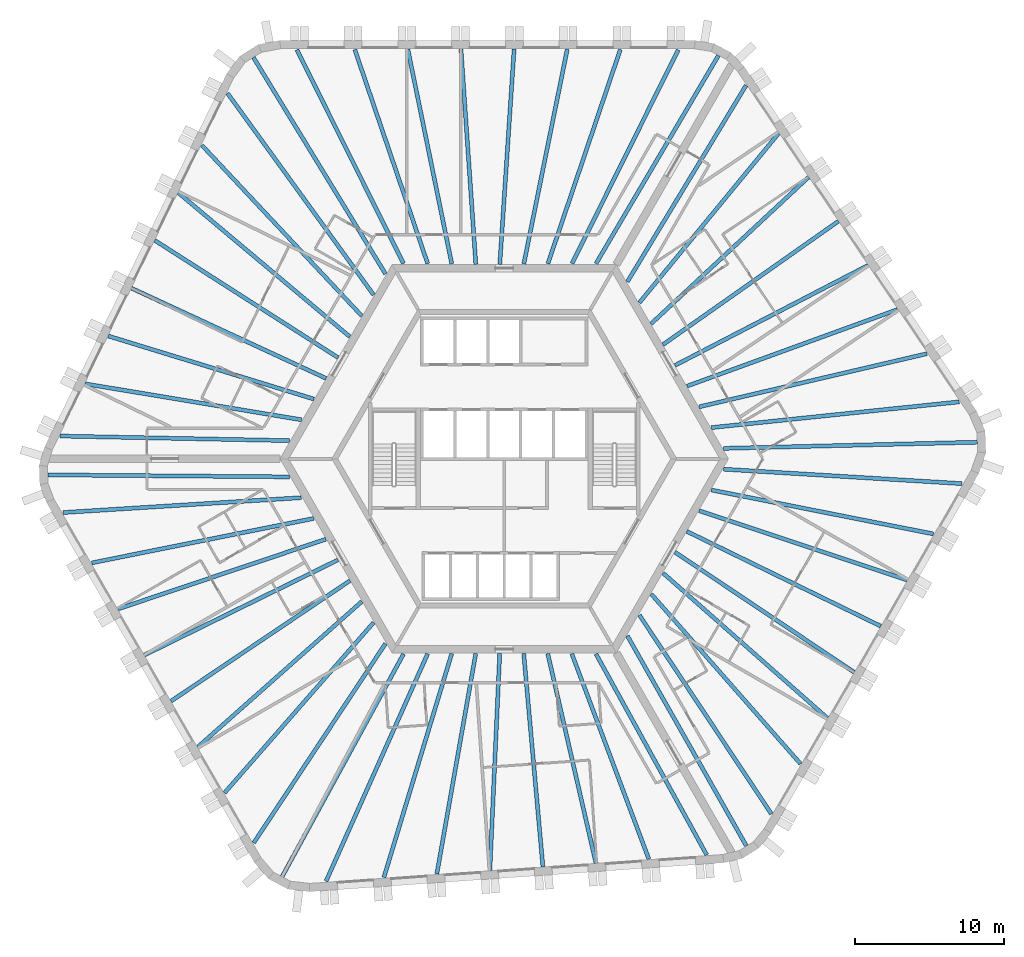
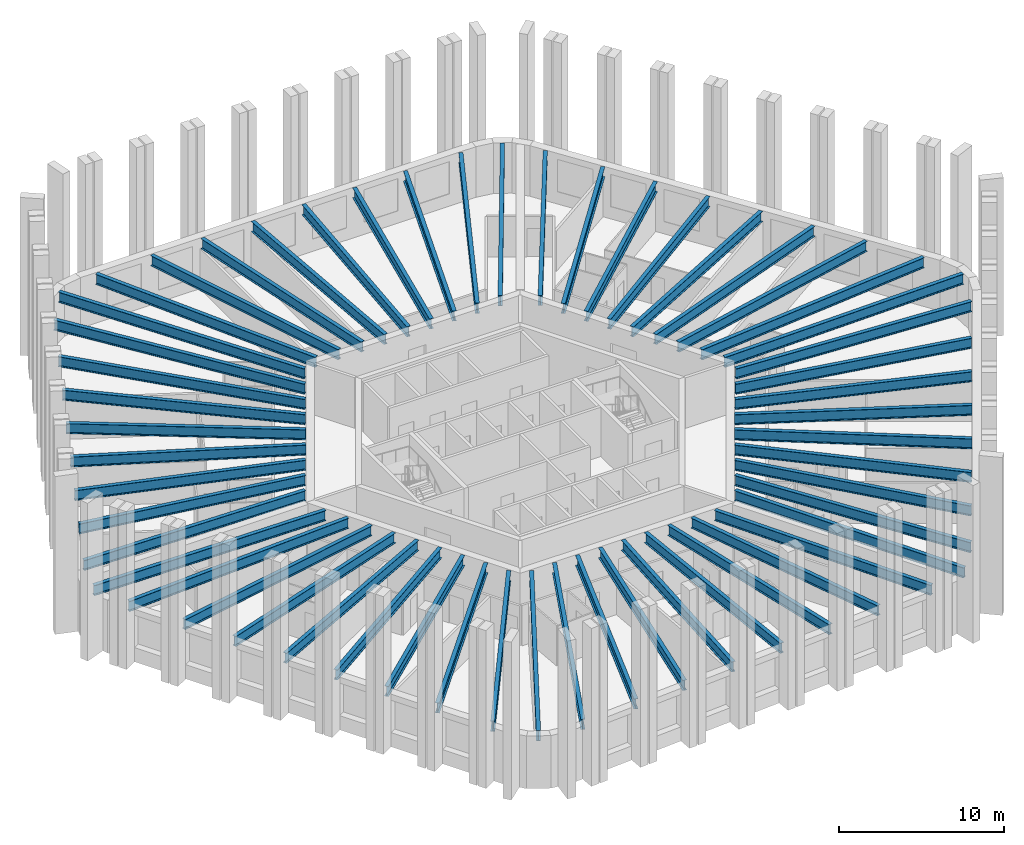
# One storey, part 1 of 10: 54 beams.
"""IFC4 building model written with IfcOpenShell, lengths in metres."""

from ifc_helpers import new_model, si_unit, direction, frame, origin, origin_2d, place, context, subcontext, project, spatial, i_section, extrude, material, material_profile, profile_set, type_object, element, save


model = new_model("IFC4")

# Units and contexts
model_context = context("Model", 3, precision=1e-05, world=origin(), true_north=direction((0.0, 1.0)))
body_context = subcontext(model_context, "Body", "Model", "MODEL_VIEW")
ifc_project = project(units=[si_unit("LENGTHUNIT", "METRE"), si_unit("AREAUNIT", "SQUARE_METRE"), si_unit("VOLUMEUNIT", "CUBIC_METRE"), si_unit("PLANEANGLEUNIT", "RADIAN"), si_unit("MASSUNIT", "GRAM", prefix="KILO")], contexts=[model_context])

# Site, building, storey
site_placement = place(None, origin())
site = spatial("IfcSite", under=ifc_project, at=site_placement, CompositionType="ELEMENT")
building_placement = place(site_placement, origin())
building = spatial("IfcBuilding", under=site, at=building_placement, Name="Tarnside Tower", CompositionType="ELEMENT")
storey_placement = place(building_placement, frame((0.0, 0.0, 164.39990234375)))
storey = spatial("IfcBuildingStorey", under=building, at=storey_placement, Name="L38", CompositionType="ELEMENT", Elevation=164.39990234375)

# Beams
ifc_material = material(Name="Steel S355", Category="steel")
ifc_material_profile_1 = material_profile(ifc_material, i_section(OverallWidth=0.26513671875, OverallDepth=0.75390625, WebThickness=0.0126953125, FlangeThickness=0.017578125, FilletRadius=0.0166015625, at=origin_2d()), Name="UB 762x267x147")
ifc_profile_set_1 = profile_set([ifc_material_profile_1], Name="Steel S355")
beam_type_1 = type_object("IfcBeamType", Name="Floor beam UB 762x267x147", PredefinedType="BEAM", material=ifc_profile_set_1)
beam_1_placement = place(storey_placement, frame((7.77001953125, 27.393310546875, 3.373046875), z_axis=(-0.320362579778, -0.947295000239, 0.0), x_axis=(0.947295000239, -0.320362579778, 0.0)))
element("IfcBeam", 1, at=beam_1_placement, inside=storey, type_object=beam_type_1, Name="Floor beam F1.02", PredefinedType="BEAM", context=body_context, shape_type="SweptSolid", body=[
    extrude(i_section(OverallWidth=0.26513671875, OverallDepth=0.75390625, WebThickness=0.0126953125, FlangeThickness=0.017578125, FilletRadius=0.0166015625, at=origin_2d()), origin(), (0.0, 0.0, 1.0), 15.134033203125),
])
beam_2_placement = place(storey_placement, frame((4.218505859375, 27.410888671875, 3.373046875), z_axis=(-0.19841777413, -0.980117537293, 0.0), x_axis=(0.980117537293, -0.19841777413, 0.0)))
element("IfcBeam", 2, at=beam_2_placement, inside=storey, type_object=beam_type_1, Name="Floor beam F1.03", PredefinedType="BEAM", context=body_context, shape_type="SweptSolid", body=[
    extrude(i_section(OverallWidth=0.26513671875, OverallDepth=0.75390625, WebThickness=0.0126953125, FlangeThickness=0.017578125, FilletRadius=0.0166015625, at=origin_2d()), origin(), (0.0, 0.0, 1.0), 14.6630859375),
])
beam_3_placement = place(storey_placement, frame((0.66259765625, 27.429931640625, 3.373046875), z_axis=(-0.066554914868, -0.997782763585, 0.0), x_axis=(0.997782763585, -0.066554914868, 0.0)))
element("IfcBeam", 3, at=beam_3_placement, inside=storey, type_object=beam_type_1, Name="Floor beam F1.04", PredefinedType="BEAM", context=body_context, shape_type="SweptSolid", body=[
    extrude(i_section(OverallWidth=0.26513671875, OverallDepth=0.75390625, WebThickness=0.0126953125, FlangeThickness=0.017578125, FilletRadius=0.0166015625, at=origin_2d()), origin(), (0.0, 0.0, 1.0), 14.44189453125),
])
beam_4_placement = place(storey_placement, frame((-2.8974609375, 27.429931640625, 3.373046875), z_axis=(0.068876921658, -0.997625164911, 0.0), x_axis=(0.997625164911, 0.068876921658, 0.0)))
element("IfcBeam", 4, at=beam_4_placement, inside=storey, type_object=beam_type_1, Name="Floor beam F1.05", PredefinedType="BEAM", context=body_context, shape_type="SweptSolid", body=[
    extrude(i_section(OverallWidth=0.26513671875, OverallDepth=0.75390625, WebThickness=0.0126953125, FlangeThickness=0.017578125, FilletRadius=0.0166015625, at=origin_2d()), origin(), (0.0, 0.0, 1.0), 14.4443359375),
])
beam_5_placement = place(storey_placement, frame((-6.45361328125, 27.410888671875, 3.373046875), z_axis=(0.200623497398, -0.979668419564, 0.0), x_axis=(0.979668419564, 0.200623497398, 0.0)))
element("IfcBeam", 5, at=beam_5_placement, inside=storey, type_object=beam_type_1, Name="Floor beam F1.06", PredefinedType="BEAM", context=body_context, shape_type="SweptSolid", body=[
    extrude(i_section(OverallWidth=0.26513671875, OverallDepth=0.75390625, WebThickness=0.0126953125, FlangeThickness=0.017578125, FilletRadius=0.0166015625, at=origin_2d()), origin(), (0.0, 0.0, 1.0), 14.669921875),
])
beam_6_placement = place(storey_placement, frame((-10.0048828125, 27.393310546875, 3.373046875), z_axis=(0.322343712034, -0.946622697442, 0.0), x_axis=(0.946622697442, 0.322343712034, 0.0)))
element("IfcBeam", 6, at=beam_6_placement, inside=storey, type_object=beam_type_1, Name="Floor beam F1.07", PredefinedType="BEAM", context=body_context, shape_type="SweptSolid", body=[
    extrude(i_section(OverallWidth=0.26513671875, OverallDepth=0.75390625, WebThickness=0.0126953125, FlangeThickness=0.017578125, FilletRadius=0.0166015625, at=origin_2d()), origin(), (0.0, 0.0, 1.0), 15.144775390625),
])
beam_7_placement = place(storey_placement, frame((-20.241455078125, 20.9892578125, 3.373046875), z_axis=(0.683752330283, -0.729714156936, 0.0), x_axis=(0.729714156936, 0.683752330283, 0.0)))
element("IfcBeam", 7, at=beam_7_placement, inside=storey, type_object=beam_type_1, Name="Floor beam F2.02", PredefinedType="BEAM", context=body_context, shape_type="SweptSolid", body=[
    extrude(i_section(OverallWidth=0.26513671875, OverallDepth=0.75390625, WebThickness=0.0126953125, FlangeThickness=0.017578125, FilletRadius=0.0166015625, at=origin_2d()), origin(), (0.0, 0.0, 1.0), 15.6591796875),
])
beam_8_placement = place(storey_placement, frame((-21.81396484375, 17.80419921875, 3.373046875), z_axis=(0.765948461073, -0.642901979294, 0.0), x_axis=(0.642901979294, 0.765948461073, 0.0)))
element("IfcBeam", 8, at=beam_8_placement, inside=storey, type_object=beam_type_1, Name="Floor beam F2.03", PredefinedType="BEAM", context=body_context, shape_type="SweptSolid", body=[
    extrude(i_section(OverallWidth=0.26513671875, OverallDepth=0.75390625, WebThickness=0.0126953125, FlangeThickness=0.017578125, FilletRadius=0.0166015625, at=origin_2d()), origin(), (0.0, 0.0, 1.0), 14.982177734375),
])
beam_9_placement = place(storey_placement, frame((-23.389892578125, 14.616455078125, 3.373046875), z_axis=(0.842378275633, -0.538886667808, 0.0), x_axis=(0.538886667808, 0.842378275633, 0.0)))
element("IfcBeam", 9, at=beam_9_placement, inside=storey, type_object=beam_type_1, Name="Floor beam F2.04", PredefinedType="BEAM", context=body_context, shape_type="SweptSolid", body=[
    extrude(i_section(OverallWidth=0.26513671875, OverallDepth=0.75390625, WebThickness=0.0126953125, FlangeThickness=0.017578125, FilletRadius=0.0166015625, at=origin_2d()), origin(), (0.0, 0.0, 1.0), 14.5595703125),
])
beam_10_placement = place(storey_placement, frame((-24.9501953125, 11.416748046875, 3.373046875), z_axis=(0.907310131748, -0.420462037321, 0.0), x_axis=(0.420462037321, 0.907310131748, 0.0)))
element("IfcBeam", 10, at=beam_10_placement, inside=storey, type_object=beam_type_1, Name="Floor beam F2.05", PredefinedType="BEAM", context=body_context, shape_type="SweptSolid", body=[
    extrude(i_section(OverallWidth=0.26513671875, OverallDepth=0.75390625, WebThickness=0.0126953125, FlangeThickness=0.017578125, FilletRadius=0.0166015625, at=origin_2d()), origin(), (0.0, 0.0, 1.0), 14.353515625),
])
beam_11_placement = place(storey_placement, frame((-26.510986328125, 8.2177734375, 3.373046875), z_axis=(0.956073348261, -0.293127536654, 0.0), x_axis=(0.293127536654, 0.956073348261, 0.0)))
element("IfcBeam", 11, at=beam_11_placement, inside=storey, type_object=beam_type_1, Name="Floor beam F2.06", PredefinedType="BEAM", context=body_context, shape_type="SweptSolid", body=[
    extrude(i_section(OverallWidth=0.26513671875, OverallDepth=0.75390625, WebThickness=0.0126953125, FlangeThickness=0.017578125, FilletRadius=0.0166015625, at=origin_2d()), origin(), (0.0, 0.0, 1.0), 14.3955078125),
])
beam_12_placement = place(storey_placement, frame((-28.0517578125, 5.015869140625, 3.373046875), z_axis=(0.986476498304, -0.163902770858, 0.0), x_axis=(0.163902770858, 0.986476498304, 0.0)))
element("IfcBeam", 12, at=beam_12_placement, inside=storey, type_object=beam_type_1, Name="Floor beam F2.07", PredefinedType="BEAM", context=body_context, shape_type="SweptSolid", body=[
    extrude(i_section(OverallWidth=0.26513671875, OverallDepth=0.75390625, WebThickness=0.0126953125, FlangeThickness=0.017578125, FilletRadius=0.0166015625, at=origin_2d()), origin(), (0.0, 0.0, 1.0), 14.680908203125),
])
beam_13_placement = place(storey_placement, frame((-29.73828125, 1.521484375, 3.373046875), z_axis=(0.999800142641, -0.019991867701, 0.0), x_axis=(0.019991867701, 0.999800142641, 0.0)))
element("IfcBeam", 13, at=beam_13_placement, inside=storey, type_object=beam_type_1, Name="Floor beam F2.08", PredefinedType="BEAM", context=body_context, shape_type="SweptSolid", body=[
    extrude(i_section(OverallWidth=0.26513671875, OverallDepth=0.75390625, WebThickness=0.0126953125, FlangeThickness=0.017578125, FilletRadius=0.0166015625, at=origin_2d()), origin(), (0.0, 0.0, 1.0), 15.3505859375),
])
beam_14_placement = place(storey_placement, frame((-27.608154296875, -6.967529296875, 3.373046875), z_axis=(0.980564540422, 0.196196794232, 0.0), x_axis=(-0.196196794232, 0.980564540422, 0.0)))
element("IfcBeam", 14, at=beam_14_placement, inside=storey, type_object=beam_type_1, Name="Floor beam F3.02", PredefinedType="BEAM", context=body_context, shape_type="SweptSolid", body=[
    extrude(i_section(OverallWidth=0.26513671875, OverallDepth=0.75390625, WebThickness=0.0126953125, FlangeThickness=0.017578125, FilletRadius=0.0166015625, at=origin_2d()), origin(), (0.0, 0.0, 1.0), 15.134033203125),
])
beam_15_placement = place(storey_placement, frame((-25.84765625, -10.052001953125, 3.373046875), z_axis=(0.948011835322, 0.31823507049, 0.0), x_axis=(-0.31823507049, 0.948011835322, 0.0)))
element("IfcBeam", 15, at=beam_15_placement, inside=storey, type_object=beam_type_1, Name="Floor beam F3.03", PredefinedType="BEAM", context=body_context, shape_type="SweptSolid", body=[
    extrude(i_section(OverallWidth=0.26513671875, OverallDepth=0.75390625, WebThickness=0.0126953125, FlangeThickness=0.017578125, FilletRadius=0.0166015625, at=origin_2d()), origin(), (0.0, 0.0, 1.0), 14.662841796875),
])
beam_16_placement = place(storey_placement, frame((-24.086181640625, -13.141357421875, 3.373046875), z_axis=(0.897375974806, 0.441266767206, 0.0), x_axis=(-0.441266767206, 0.897375974806, 0.0)))
element("IfcBeam", 16, at=beam_16_placement, inside=storey, type_object=beam_type_1, Name="Floor beam F3.04", PredefinedType="BEAM", context=body_context, shape_type="SweptSolid", body=[
    extrude(i_section(OverallWidth=0.26513671875, OverallDepth=0.75390625, WebThickness=0.0126953125, FlangeThickness=0.017578125, FilletRadius=0.0166015625, at=origin_2d()), origin(), (0.0, 0.0, 1.0), 14.442138671875),
])
beam_17_placement = place(storey_placement, frame((-22.306396484375, -16.224365234375, 3.373046875), z_axis=(0.829532486243, 0.558458462437, 0.0), x_axis=(-0.558458462437, 0.829532486243, 0.0)))
element("IfcBeam", 17, at=beam_17_placement, inside=storey, type_object=beam_type_1, Name="Floor beam F3.05", PredefinedType="BEAM", context=body_context, shape_type="SweptSolid", body=[
    extrude(i_section(OverallWidth=0.26513671875, OverallDepth=0.75390625, WebThickness=0.0126953125, FlangeThickness=0.017578125, FilletRadius=0.0166015625, at=origin_2d()), origin(), (0.0, 0.0, 1.0), 14.444580078125),
])
beam_18_placement = place(storey_placement, frame((-20.51171875, -19.294189453125, 3.373046875), z_axis=(0.74811408094, 0.663570133369, 0.0), x_axis=(-0.663570133369, 0.74811408094, 0.0)))
element("IfcBeam", 18, at=beam_18_placement, inside=storey, type_object=beam_type_1, Name="Floor beam F3.06", PredefinedType="BEAM", context=body_context, shape_type="SweptSolid", body=[
    extrude(i_section(OverallWidth=0.26513671875, OverallDepth=0.75390625, WebThickness=0.0126953125, FlangeThickness=0.017578125, FilletRadius=0.0166015625, at=origin_2d()), origin(), (0.0, 0.0, 1.0), 14.669677734375),
])
beam_19_placement = place(storey_placement, frame((-18.720703125, -22.361083984375, 3.373046875), z_axis=(0.658621010302, 0.752474826681, 0.0), x_axis=(-0.752474826681, 0.658621010302, 0.0)))
element("IfcBeam", 19, at=beam_19_placement, inside=storey, type_object=beam_type_1, Name="Floor beam F3.07", PredefinedType="BEAM", context=body_context, shape_type="SweptSolid", body=[
    extrude(i_section(OverallWidth=0.26513671875, OverallDepth=0.75390625, WebThickness=0.0126953125, FlangeThickness=0.017578125, FilletRadius=0.0166015625, at=origin_2d()), origin(), (0.0, 0.0, 1.0), 15.144775390625),
])
beam_20_placement = place(storey_placement, frame((-8.056396484375, -28.024169921875, 3.373046875), z_axis=(0.290070138838, 0.957005388989, 0.0), x_axis=(-0.957005388989, 0.290070138838, 0.0)))
element("IfcBeam", 20, at=beam_20_placement, inside=storey, type_object=beam_type_1, Name="Floor beam F4.02", PredefinedType="BEAM", context=body_context, shape_type="SweptSolid", body=[
    extrude(i_section(OverallWidth=0.26513671875, OverallDepth=0.75390625, WebThickness=0.0126953125, FlangeThickness=0.017578125, FilletRadius=0.0166015625, at=origin_2d()), origin(), (0.0, 0.0, 1.0), 15.6591796875),
])
beam_21_placement = place(storey_placement, frame((-4.511962890625, -27.793701171875, 3.373046875), z_axis=(0.173788122681, 0.984783066678, 0.0), x_axis=(-0.984783066678, 0.173788122681, 0.0)))
element("IfcBeam", 21, at=beam_21_placement, inside=storey, type_object=beam_type_1, Name="Floor beam F4.03", PredefinedType="BEAM", context=body_context, shape_type="SweptSolid", body=[
    extrude(i_section(OverallWidth=0.26513671875, OverallDepth=0.75390625, WebThickness=0.0126953125, FlangeThickness=0.017578125, FilletRadius=0.0166015625, at=origin_2d()), origin(), (0.0, 0.0, 1.0), 14.982421875),
])
beam_22_placement = place(storey_placement, frame((-0.96337890625, -27.564453125, 3.373046875), z_axis=(0.045509585226, 0.998963902077, 0.0), x_axis=(-0.998963902077, 0.045509585226, 0.0)))
element("IfcBeam", 22, at=beam_22_placement, inside=storey, type_object=beam_type_1, Name="Floor beam F4.04", PredefinedType="BEAM", context=body_context, shape_type="SweptSolid", body=[
    extrude(i_section(OverallWidth=0.26513671875, OverallDepth=0.75390625, WebThickness=0.0126953125, FlangeThickness=0.017578125, FilletRadius=0.0166015625, at=origin_2d()), origin(), (0.0, 0.0, 1.0), 14.5595703125),
])
beam_23_placement = place(storey_placement, frame((2.587890625, -27.31591796875, 3.373046875), z_axis=(-0.089518916897, 0.995985122137, 0.0), x_axis=(-0.995985122137, -0.089518916897, 0.0)))
element("IfcBeam", 23, at=beam_23_placement, inside=storey, type_object=beam_type_1, Name="Floor beam F4.05", PredefinedType="BEAM", context=body_context, shape_type="SweptSolid", body=[
    extrude(i_section(OverallWidth=0.26513671875, OverallDepth=0.75390625, WebThickness=0.0126953125, FlangeThickness=0.017578125, FilletRadius=0.0166015625, at=origin_2d()), origin(), (0.0, 0.0, 1.0), 14.353515625),
])
beam_24_placement = place(storey_placement, frame((6.138671875, -27.068115234375, 3.373046875), z_axis=(-0.224188122435, 0.974545886944, 0.0), x_axis=(-0.974545886944, -0.224188122435, 0.0)))
element("IfcBeam", 24, at=beam_24_placement, inside=storey, type_object=beam_type_1, Name="Floor beam F4.06", PredefinedType="BEAM", context=body_context, shape_type="SweptSolid", body=[
    extrude(i_section(OverallWidth=0.26513671875, OverallDepth=0.75390625, WebThickness=0.0126953125, FlangeThickness=0.017578125, FilletRadius=0.0166015625, at=origin_2d()), origin(), (0.0, 0.0, 1.0), 14.3955078125),
])
beam_25_placement = place(storey_placement, frame((9.681884765625, -26.801513671875, 3.373046875), z_axis=(-0.351271055087, 0.936273809234, 0.0), x_axis=(-0.936273809234, -0.351271055087, 0.0)))
element("IfcBeam", 25, at=beam_25_placement, inside=storey, type_object=beam_type_1, Name="Floor beam F4.07", PredefinedType="BEAM", context=body_context, shape_type="SweptSolid", body=[
    extrude(i_section(OverallWidth=0.26513671875, OverallDepth=0.75390625, WebThickness=0.0126953125, FlangeThickness=0.017578125, FilletRadius=0.0166015625, at=origin_2d()), origin(), (0.0, 0.0, 1.0), 14.680908203125),
])
beam_26_placement = place(storey_placement, frame((13.551513671875, -26.514892578125, 3.373046875), z_axis=(-0.482584088089, 0.875849643445, 0.0), x_axis=(-0.875849643445, -0.482584088089, 0.0)))
element("IfcBeam", 26, at=beam_26_placement, inside=storey, type_object=beam_type_1, Name="Floor beam F4.08", PredefinedType="BEAM", context=body_context, shape_type="SweptSolid", body=[
    extrude(i_section(OverallWidth=0.26513671875, OverallDepth=0.75390625, WebThickness=0.0126953125, FlangeThickness=0.017578125, FilletRadius=0.0166015625, at=origin_2d()), origin(), (0.0, 0.0, 1.0), 15.3505859375),
])
beam_27_placement = place(storey_placement, frame((19.838134765625, -20.425537109375, 3.373046875), z_axis=(-0.660201214512, 0.751088780609, 0.0), x_axis=(-0.751088780609, -0.660201214512, 0.0)))
element("IfcBeam", 27, at=beam_27_placement, inside=storey, type_object=beam_type_1, Name="Floor beam F5.02", PredefinedType="BEAM", context=body_context, shape_type="SweptSolid", body=[
    extrude(i_section(OverallWidth=0.26513671875, OverallDepth=0.75390625, WebThickness=0.0126953125, FlangeThickness=0.017578125, FilletRadius=0.0166015625, at=origin_2d()), origin(), (0.0, 0.0, 1.0), 15.134033203125),
])
beam_28_placement = place(storey_placement, frame((21.629150390625, -17.358642578125, 3.373046875), z_axis=(-0.749601662028, 0.661889226597, 0.0), x_axis=(-0.661889226597, -0.749601662028, 0.0)))
element("IfcBeam", 28, at=beam_28_placement, inside=storey, type_object=beam_type_1, Name="Floor beam F5.03", PredefinedType="BEAM", context=body_context, shape_type="SweptSolid", body=[
    extrude(i_section(OverallWidth=0.26513671875, OverallDepth=0.75390625, WebThickness=0.0126953125, FlangeThickness=0.017578125, FilletRadius=0.0166015625, at=origin_2d()), origin(), (0.0, 0.0, 1.0), 14.6630859375),
])
beam_29_placement = place(storey_placement, frame((23.423828125, -14.288818359375, 3.373046875), z_axis=(-0.830825943553, 0.556532345439, 0.0), x_axis=(-0.556532345439, -0.830825943553, 0.0)))
element("IfcBeam", 29, at=beam_29_placement, inside=storey, type_object=beam_type_1, Name="Floor beam F5.04", PredefinedType="BEAM", context=body_context, shape_type="SweptSolid", body=[
    extrude(i_section(OverallWidth=0.26513671875, OverallDepth=0.75390625, WebThickness=0.0126953125, FlangeThickness=0.017578125, FilletRadius=0.0166015625, at=origin_2d()), origin(), (0.0, 0.0, 1.0), 14.4423828125),
])
beam_30_placement = place(storey_placement, frame((25.203857421875, -11.205810546875, 3.373046875), z_axis=(-0.898407034897, 0.43916375038, 0.0), x_axis=(-0.43916375038, -0.898407034897, 0.0)))
element("IfcBeam", 30, at=beam_30_placement, inside=storey, type_object=beam_type_1, Name="Floor beam F5.05", PredefinedType="BEAM", context=body_context, shape_type="SweptSolid", body=[
    extrude(i_section(OverallWidth=0.26513671875, OverallDepth=0.75390625, WebThickness=0.0126953125, FlangeThickness=0.017578125, FilletRadius=0.0166015625, at=origin_2d()), origin(), (0.0, 0.0, 1.0), 14.444580078125),
])
beam_31_placement = place(storey_placement, frame((26.965087890625, -8.116455078125, 3.373046875), z_axis=(-0.948728223501, 0.31609295774, 0.0), x_axis=(-0.31609295774, -0.948728223501, 0.0)))
element("IfcBeam", 31, at=beam_31_placement, inside=storey, type_object=beam_type_1, Name="Floor beam F5.06", PredefinedType="BEAM", context=body_context, shape_type="SweptSolid", body=[
    extrude(i_section(OverallWidth=0.26513671875, OverallDepth=0.75390625, WebThickness=0.0126953125, FlangeThickness=0.017578125, FilletRadius=0.0166015625, at=origin_2d()), origin(), (0.0, 0.0, 1.0), 14.669677734375),
])
beam_32_placement = place(storey_placement, frame((28.7255859375, -5.031982421875, 3.373046875), z_axis=(-0.980974250646, 0.194137888034, 0.0), x_axis=(-0.194137888034, -0.980974250646, 0.0)))
element("IfcBeam", 32, at=beam_32_placement, inside=storey, type_object=beam_type_1, Name="Floor beam F5.07", PredefinedType="BEAM", context=body_context, shape_type="SweptSolid", body=[
    extrude(i_section(OverallWidth=0.26513671875, OverallDepth=0.75390625, WebThickness=0.0126953125, FlangeThickness=0.017578125, FilletRadius=0.0166015625, at=origin_2d()), origin(), (0.0, 0.0, 1.0), 15.144775390625),
])
beam_33_placement = place(storey_placement, frame((28.2978515625, 7.034912109375, 3.373046875), z_axis=(-0.973828212928, -0.227285309042, 0.0), x_axis=(0.227285309042, -0.973828212928, 0.0)))
element("IfcBeam", 33, at=beam_33_placement, inside=storey, type_object=beam_type_1, Name="Floor beam F6.02", PredefinedType="BEAM", context=body_context, shape_type="SweptSolid", body=[
    extrude(i_section(OverallWidth=0.26513671875, OverallDepth=0.75390625, WebThickness=0.0126953125, FlangeThickness=0.017578125, FilletRadius=0.0166015625, at=origin_2d()), origin(), (0.0, 0.0, 1.0), 15.6591796875),
])
beam_34_placement = place(storey_placement, frame((26.325927734375, 9.989501953125, 3.373046875), z_axis=(-0.939738697004, -0.341893523415, 0.0), x_axis=(0.341893523415, -0.939738697004, 0.0)))
element("IfcBeam", 34, at=beam_34_placement, inside=storey, type_object=beam_type_1, Name="Floor beam F6.03", PredefinedType="BEAM", context=body_context, shape_type="SweptSolid", body=[
    extrude(i_section(OverallWidth=0.26513671875, OverallDepth=0.75390625, WebThickness=0.0126953125, FlangeThickness=0.017578125, FilletRadius=0.0166015625, at=origin_2d()), origin(), (0.0, 0.0, 1.0), 14.982177734375),
])
beam_35_placement = place(storey_placement, frame((24.353271484375, 12.947998046875, 3.373046875), z_axis=(-0.887881646639, -0.460071930856, 0.0), x_axis=(0.460071930856, -0.887881646639, 0.0)))
element("IfcBeam", 35, at=beam_35_placement, inside=storey, type_object=beam_type_1, Name="Floor beam F6.04", PredefinedType="BEAM", context=body_context, shape_type="SweptSolid", body=[
    extrude(i_section(OverallWidth=0.26513671875, OverallDepth=0.75390625, WebThickness=0.0126953125, FlangeThickness=0.017578125, FilletRadius=0.0166015625, at=origin_2d()), origin(), (0.0, 0.0, 1.0), 14.5595703125),
])
beam_36_placement = place(storey_placement, frame((22.3623046875, 15.899169921875, 3.373046875), z_axis=(-0.817791001708, -0.575515314762, 0.0), x_axis=(0.575515314762, -0.817791001708, 0.0)))
element("IfcBeam", 36, at=beam_36_placement, inside=storey, type_object=beam_type_1, Name="Floor beam F6.05", PredefinedType="BEAM", context=body_context, shape_type="SweptSolid", body=[
    extrude(i_section(OverallWidth=0.26513671875, OverallDepth=0.75390625, WebThickness=0.0126953125, FlangeThickness=0.017578125, FilletRadius=0.0166015625, at=origin_2d()), origin(), (0.0, 0.0, 1.0), 14.353759765625),
])
beam_37_placement = place(storey_placement, frame((20.372314453125, 18.850341796875, 3.373046875), z_axis=(-0.731892224456, -0.681420407517, 0.0), x_axis=(0.681420407517, -0.731892224456, 0.0)))
element("IfcBeam", 37, at=beam_37_placement, inside=storey, type_object=beam_type_1, Name="Floor beam F6.06", PredefinedType="BEAM", context=body_context, shape_type="SweptSolid", body=[
    extrude(i_section(OverallWidth=0.26513671875, OverallDepth=0.75390625, WebThickness=0.0126953125, FlangeThickness=0.017578125, FilletRadius=0.0166015625, at=origin_2d()), origin(), (0.0, 0.0, 1.0), 14.3955078125),
])
beam_38_placement = place(storey_placement, frame((18.369873046875, 21.78564453125, 3.373046875), z_axis=(-0.635191827457, -0.772354414975, 0.0), x_axis=(0.772354414975, -0.635191827457, 0.0)))
element("IfcBeam", 38, at=beam_38_placement, inside=storey, type_object=beam_type_1, Name="Floor beam F6.07", PredefinedType="BEAM", context=body_context, shape_type="SweptSolid", body=[
    extrude(i_section(OverallWidth=0.26513671875, OverallDepth=0.75390625, WebThickness=0.0126953125, FlangeThickness=0.017578125, FilletRadius=0.0166015625, at=origin_2d()), origin(), (0.0, 0.0, 1.0), 14.680908203125),
])
beam_39_placement = place(storey_placement, frame((16.186767578125, 24.993408203125, 3.373046875), z_axis=(-0.517208605106, -0.855859368591, 0.0), x_axis=(0.855859368591, -0.517208605106, 0.0)))
element("IfcBeam", 39, at=beam_39_placement, inside=storey, type_object=beam_type_1, Name="Floor beam F6.08", PredefinedType="BEAM", context=body_context, shape_type="SweptSolid", body=[
    extrude(i_section(OverallWidth=0.26513671875, OverallDepth=0.75390625, WebThickness=0.0126953125, FlangeThickness=0.017578125, FilletRadius=0.0166015625, at=origin_2d()), origin(), (0.0, 0.0, 1.0), 15.3505859375),
])
ifc_material_profile_2 = material_profile(ifc_material, i_section(OverallWidth=0.2666015625, OverallDepth=0.76220703125, WebThickness=0.014404296875, FlangeThickness=0.021484375, FilletRadius=0.0166015625, at=origin_2d()), Name="UB 762x267x173")
ifc_profile_set_2 = profile_set([ifc_material_profile_2], Name="Steel S355")
beam_type_2 = type_object("IfcBeamType", Name="Floor beam UB 762x267x173", PredefinedType="BEAM", material=ifc_profile_set_2)
beam_40_placement = place(storey_placement, frame((11.6494140625, 27.37841796875, 3.368896484375), z_axis=(-0.445042310328, -0.895509543231, 0.0), x_axis=(0.895509543231, -0.445042310328, 0.0)))
element("IfcBeam", 40, at=beam_40_placement, inside=storey, type_object=beam_type_2, Name="Floor beam F1.01", PredefinedType="BEAM", context=body_context, shape_type="SweptSolid", body=[
    extrude(i_section(OverallWidth=0.2666015625, OverallDepth=0.76220703125, WebThickness=0.014404296875, FlangeThickness=0.021484375, FilletRadius=0.0166015625, at=origin_2d()), origin(), (0.0, 0.0, 1.0), 15.976318359375),
])
beam_41_placement = place(storey_placement, frame((-13.884521484375, 27.37841796875, 3.368896484375), z_axis=(0.44673108957, -0.894668281326, 0.0), x_axis=(0.894668281326, 0.44673108957, 0.0)))
element("IfcBeam", 41, at=beam_41_placement, inside=storey, type_object=beam_type_2, Name="Floor beam F1.08", PredefinedType="BEAM", context=body_context, shape_type="SweptSolid", body=[
    extrude(i_section(OverallWidth=0.2666015625, OverallDepth=0.76220703125, WebThickness=0.014404296875, FlangeThickness=0.021484375, FilletRadius=0.0166015625, at=origin_2d()), origin(), (0.0, 0.0, 1.0), 15.9912109375),
])
beam_42_placement = place(storey_placement, frame((-16.79345703125, 26.86962890625, 3.368896484375), z_axis=(0.520940467881, -0.853593011291, 0.0), x_axis=(0.853593011291, 0.520940467881, 0.0)))
element("IfcBeam", 42, at=beam_42_placement, inside=storey, type_object=beam_type_2, Name="Floor beam C1", PredefinedType="BEAM", context=body_context, shape_type="SweptSolid", body=[
    extrude(i_section(OverallWidth=0.2666015625, OverallDepth=0.76220703125, WebThickness=0.014404296875, FlangeThickness=0.021484375, FilletRadius=0.0166015625, at=origin_2d()), origin(), (0.0, 0.0, 1.0), 16.980712890625),
])
beam_43_placement = place(storey_placement, frame((-18.52685546875, 24.471435546875, 3.368896484375), z_axis=(0.586791943415, -0.80973774467, 0.0), x_axis=(0.80973774467, 0.586791943415, 0.0)))
element("IfcBeam", 43, at=beam_43_placement, inside=storey, type_object=beam_type_2, Name="Floor beam F2.01", PredefinedType="BEAM", context=body_context, shape_type="SweptSolid", body=[
    extrude(i_section(OverallWidth=0.2666015625, OverallDepth=0.76220703125, WebThickness=0.014404296875, FlangeThickness=0.021484375, FilletRadius=0.0166015625, at=origin_2d()), origin(), (0.0, 0.0, 1.0), 16.67578125),
])
beam_44_placement = place(storey_placement, frame((-30.543212890625, -1.079345703125, 3.368896484375), z_axis=(0.999966072652, -0.008237326324, 0.0), x_axis=(0.008237326324, 0.999966072652, 0.0)))
element("IfcBeam", 44, at=beam_44_placement, inside=storey, type_object=beam_type_2, Name="Floor beam C2", PredefinedType="BEAM", context=body_context, shape_type="SweptSolid", body=[
    extrude(i_section(OverallWidth=0.2666015625, OverallDepth=0.76220703125, WebThickness=0.014404296875, FlangeThickness=0.021484375, FilletRadius=0.0166015625, at=origin_2d()), origin(), (0.0, 0.0, 1.0), 16.15283203125),
])
beam_45_placement = place(storey_placement, frame((-29.534912109375, -3.6005859375, 3.368896484375), z_axis=(0.99805531279, 0.062334521832, 0.0), x_axis=(-0.062334521832, 0.99805531279, 0.0)))
element("IfcBeam", 45, at=beam_45_placement, inside=storey, type_object=beam_type_2, Name="Floor beam F3.01", PredefinedType="BEAM", context=body_context, shape_type="SweptSolid", body=[
    extrude(i_section(OverallWidth=0.2666015625, OverallDepth=0.76220703125, WebThickness=0.014404296875, FlangeThickness=0.021484375, FilletRadius=0.0166015625, at=origin_2d()), origin(), (0.0, 0.0, 1.0), 15.975830078125),
])
beam_46_placement = place(storey_placement, frame((-16.768310546875, -25.71337890625, 3.368896484375), z_axis=(0.551447600123, 0.834209532623, 0.0), x_axis=(-0.834209532623, 0.551447600123, 0.0)))
element("IfcBeam", 46, at=beam_46_placement, inside=storey, type_object=beam_type_2, Name="Floor beam F3.08", PredefinedType="BEAM", context=body_context, shape_type="SweptSolid", body=[
    extrude(i_section(OverallWidth=0.2666015625, OverallDepth=0.76220703125, WebThickness=0.014404296875, FlangeThickness=0.021484375, FilletRadius=0.0166015625, at=origin_2d()), origin(), (0.0, 0.0, 1.0), 15.9912109375),
])
beam_47_placement = place(storey_placement, frame((-14.873046875, -27.978515625, 3.368896484375), z_axis=(0.478767512404, 0.877941723047, 0.0), x_axis=(-0.877941723047, 0.478767512404, 0.0)))
element("IfcBeam", 47, at=beam_47_placement, inside=storey, type_object=beam_type_2, Name="Floor beam C3", PredefinedType="BEAM", context=body_context, shape_type="SweptSolid", body=[
    extrude(i_section(OverallWidth=0.2666015625, OverallDepth=0.76220703125, WebThickness=0.014404296875, FlangeThickness=0.021484375, FilletRadius=0.0166015625, at=origin_2d()), origin(), (0.0, 0.0, 1.0), 16.98095703125),
])
beam_48_placement = place(storey_placement, frame((-11.929443359375, -28.280517578125, 3.368896484375), z_axis=(0.407852035629, 0.913048036542, 0.0), x_axis=(-0.913048036542, 0.407852035629, 0.0)))
element("IfcBeam", 48, at=beam_48_placement, inside=storey, type_object=beam_type_2, Name="Floor beam F4.01", PredefinedType="BEAM", context=body_context, shape_type="SweptSolid", body=[
    extrude(i_section(OverallWidth=0.2666015625, OverallDepth=0.76220703125, WebThickness=0.014404296875, FlangeThickness=0.021484375, FilletRadius=0.0166015625, at=origin_2d()), origin(), (0.0, 0.0, 1.0), 16.67578125),
])
beam_49_placement = place(storey_placement, frame((16.206298828125, -25.91162109375, 3.368896484375), z_axis=(-0.492847437034, 0.870115741616, 0.0), x_axis=(-0.870115741616, -0.492847437034, 0.0)))
element("IfcBeam", 49, at=beam_49_placement, inside=storey, type_object=beam_type_2, Name="Floor beam C4", PredefinedType="BEAM", context=body_context, shape_type="SweptSolid", body=[
    extrude(i_section(OverallWidth=0.2666015625, OverallDepth=0.76220703125, WebThickness=0.014404296875, FlangeThickness=0.021484375, FilletRadius=0.0166015625, at=origin_2d()), origin(), (0.0, 0.0, 1.0), 16.15283203125),
])
beam_50_placement = place(storey_placement, frame((17.8857421875, -23.77783203125, 3.368896484375), z_axis=(-0.553013371197, 0.833172377889, 0.0), x_axis=(-0.833172377889, -0.553013371197, 0.0)))
element("IfcBeam", 50, at=beam_50_placement, inside=storey, type_object=beam_type_2, Name="Floor beam F5.01", PredefinedType="BEAM", context=body_context, shape_type="SweptSolid", body=[
    extrude(i_section(OverallWidth=0.2666015625, OverallDepth=0.76220703125, WebThickness=0.014404296875, FlangeThickness=0.021484375, FilletRadius=0.0166015625, at=origin_2d()), origin(), (0.0, 0.0, 1.0), 15.97607421875),
])
beam_51_placement = place(storey_placement, frame((30.652587890625, -1.6650390625, 3.368896484375), z_axis=(-0.998170730858, 0.060458184371, 0.0), x_axis=(-0.060458184371, -0.998170730858, 0.0)))
element("IfcBeam", 51, at=beam_51_placement, inside=storey, type_object=beam_type_2, Name="Floor beam F5.08", PredefinedType="BEAM", context=body_context, shape_type="SweptSolid", body=[
    extrude(i_section(OverallWidth=0.2666015625, OverallDepth=0.76220703125, WebThickness=0.014404296875, FlangeThickness=0.021484375, FilletRadius=0.0166015625, at=origin_2d()), origin(), (0.0, 0.0, 1.0), 15.9912109375),
])
beam_52_placement = place(storey_placement, frame((31.66650390625, 1.108642578125, 3.368896484375), z_axis=(-0.999703706976, -0.024341287118, 0.0), x_axis=(0.024341287118, -0.999703706976, 0.0)))
element("IfcBeam", 52, at=beam_52_placement, inside=storey, type_object=beam_type_2, Name="Floor beam C5", PredefinedType="BEAM", context=body_context, shape_type="SweptSolid", body=[
    extrude(i_section(OverallWidth=0.2666015625, OverallDepth=0.76220703125, WebThickness=0.014404296875, FlangeThickness=0.021484375, FilletRadius=0.0166015625, at=origin_2d()), origin(), (0.0, 0.0, 1.0), 16.980712890625),
])
beam_53_placement = place(storey_placement, frame((30.456298828125, 3.80908203125, 3.368896484375), z_axis=(-0.994648352349, -0.103318222829, 0.0), x_axis=(0.103318222829, -0.994648352349, 0.0)))
element("IfcBeam", 53, at=beam_53_placement, inside=storey, type_object=beam_type_2, Name="Floor beam F6.01", PredefinedType="BEAM", context=body_context, shape_type="SweptSolid", body=[
    extrude(i_section(OverallWidth=0.2666015625, OverallDepth=0.76220703125, WebThickness=0.014404296875, FlangeThickness=0.021484375, FilletRadius=0.0166015625, at=origin_2d()), origin(), (0.0, 0.0, 1.0), 16.67578125),
])
beam_54_placement = place(storey_placement, frame((14.3369140625, 26.990966796875, 3.368896484375), z_axis=(-0.507115238706, -0.861878259775, 0.0), x_axis=(0.861878259775, -0.507115238706, 0.0)))
element("IfcBeam", 54, at=beam_54_placement, inside=storey, type_object=beam_type_2, Name="Floor beam C6", PredefinedType="BEAM", context=body_context, shape_type="SweptSolid", body=[
    extrude(i_section(OverallWidth=0.2666015625, OverallDepth=0.76220703125, WebThickness=0.014404296875, FlangeThickness=0.021484375, FilletRadius=0.0166015625, at=origin_2d()), origin(), (0.0, 0.0, 1.0), 16.15283203125),
])

save(model, "model.ifc")
